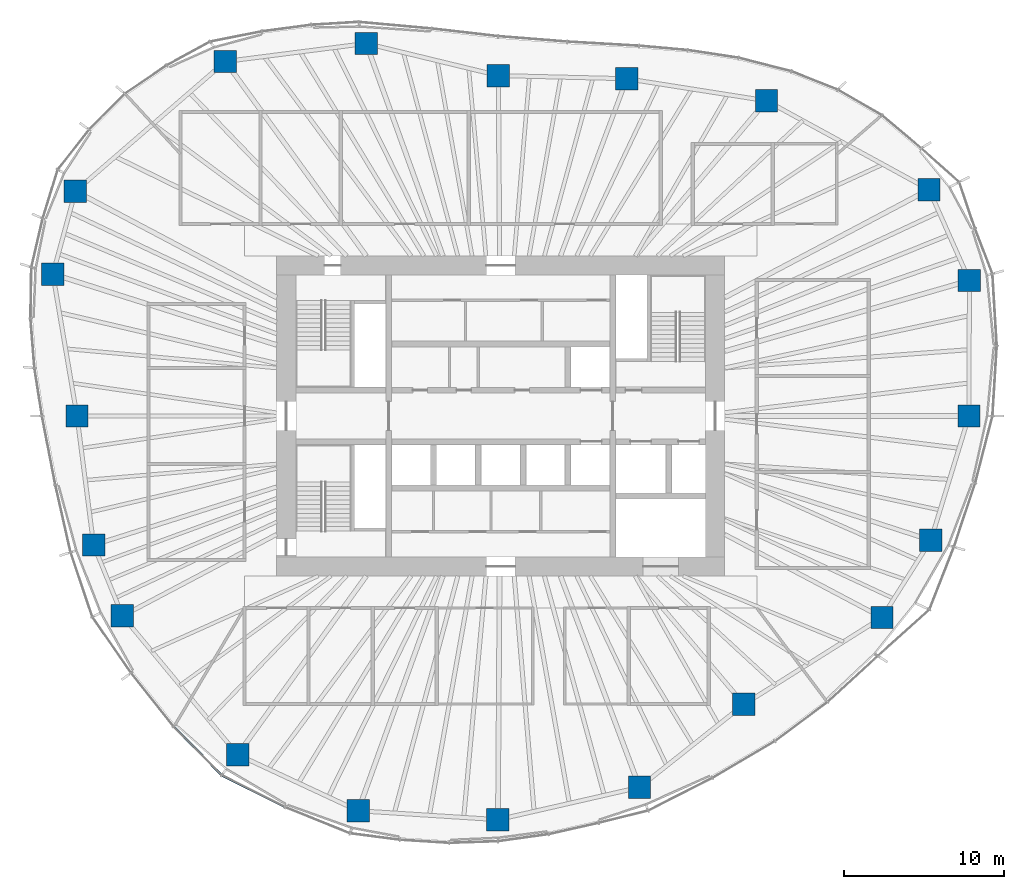
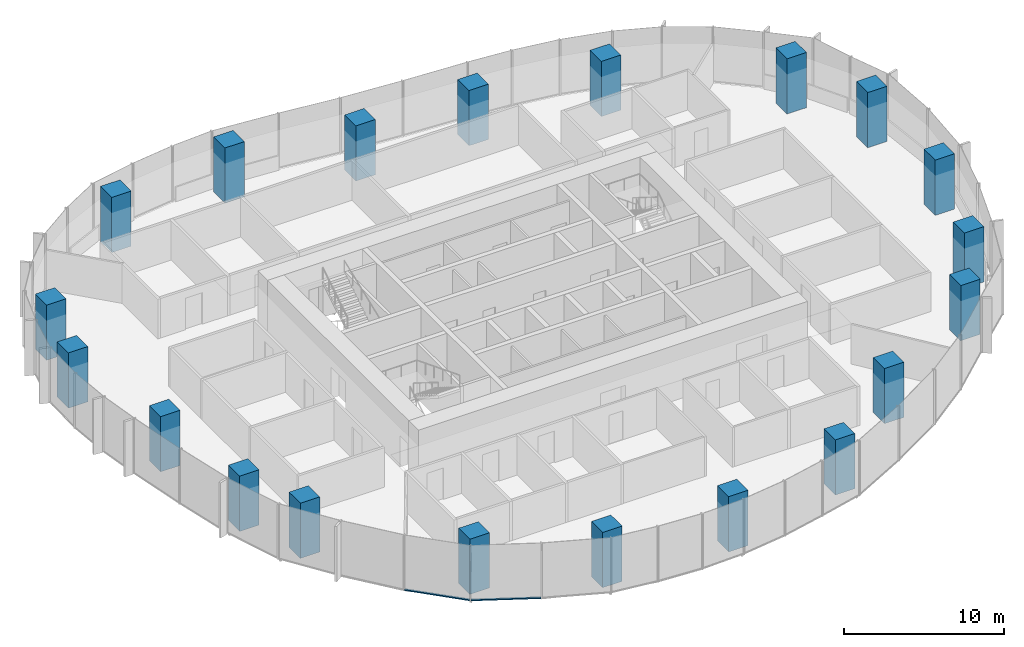
# One storey, part 1 of 18: 20 columns, 2 members, 2 elements without a shape of their own.
"""IFC4 building model written with IfcOpenShell, lengths in metres."""

from ifc_helpers import new_model, si_unit, direction, frame, origin, origin_2d, place, context, subcontext, project, spatial, rectangle, extrude, material, material_profile, profile_set, type_object, element, aggregate, save


model = new_model("IFC4")

# Units and contexts
model_context = context("Model", 3, precision=1e-05, world=origin(), true_north=direction((0.0, 1.0)))
body_context = subcontext(model_context, "Body", "Model", "MODEL_VIEW")
ifc_project = project(units=[si_unit("LENGTHUNIT", "METRE"), si_unit("AREAUNIT", "SQUARE_METRE"), si_unit("VOLUMEUNIT", "CUBIC_METRE"), si_unit("PLANEANGLEUNIT", "RADIAN"), si_unit("MASSUNIT", "GRAM", prefix="KILO")], contexts=[model_context])

# Site, building, storey
site_placement = place(None, origin())
site = spatial("IfcSite", under=ifc_project, at=site_placement, CompositionType="ELEMENT")
building_placement = place(site_placement, origin())
building = spatial("IfcBuilding", under=site, at=building_placement, Name="Ghaith Harvest Tower", CompositionType="ELEMENT")
storey_placement = place(building_placement, frame((0.0, 0.0, 180.60009765625)))
storey = spatial("IfcBuildingStorey", under=building, at=storey_placement, Name="L39", CompositionType="ELEMENT", Elevation=180.60009765625)

# Columns
ifc_material_1 = material(Name="Concrete C60/75", Category="concrete")
ifc_material_profile_1 = material_profile(ifc_material_1, rectangle(XDim=1.39990234375, YDim=1.39990234375, at=origin_2d()), Name="RC1400X1400")
ifc_profile_set_1 = profile_set([ifc_material_profile_1], Name="Concrete C60/75")
column_type = type_object("IfcColumnType", Name="TC4 RC1400X1400", PredefinedType="COLUMN", material=ifc_profile_set_1)
for number, where, z_axis, x_axis, name in (
    (1, (29.259033203125, 0.0, 0.0), (0.0, 0.0, 1.0), (1.0, 0.0, 0.0), "Perimeter column C01"),
    (2, (29.285888671875, 8.464111328125, 0.0), (0.0, 0.0, 1.0), (1.0, 0.0, 0.0), "Perimeter column C02"),
    (3, (26.763916015625, 14.14697265625, 0.0), (0.0, 0.0, 1.0), (1.0, 0.0, 0.0), "Perimeter column C03"),
    (4, (16.60791015625, 19.695068359375, 0.0), (0.0, 0.0, 1.0), (1.0, 0.0, 0.0), "Perimeter column C04"),
    (5, (7.8779296875, 21.072021484375, 0.0), (0.0, 0.0, 1.0), (1.0, 0.0, 0.0), "Perimeter column C05"),
    (6, (-0.14599609375, 21.27099609375, 0.0), (0.0, 0.0, 1.0), (1.0, 0.0, 0.0), "Perimeter column C06"),
    (7, (-8.406982421875, 23.27587890625, 0.0), (0.0, 0.0, 1.0), (1.0, 0.0, 0.0), "Perimeter column C07"),
    (8, (-17.201904296875, 22.14990234375, 0.0), (0.0, 0.0, 1.0), (1.0, 0.0, 0.0), "Perimeter column C08"),
    (9, (-26.572998046875, 14.0458984375, 0.0), (0.0, 0.0, 1.0), (1.0, 0.0, 0.0), "Perimeter column C09"),
    (10, (-27.98291015625, 8.867919921875, 0.0), (0.0, 0.0, 1.0), (1.0, 0.0, 0.0), "Perimeter column C10"),
    (11, (-26.47509765625, 0.0, 0.0), (0.0, 0.0, 1.0), (1.0, 0.0, 0.0), "Perimeter column C11"),
    (12, (-25.43603515625, -8.06103515625, 0.0), (0.0, 0.0, 1.0), (1.0, 0.0, 0.0), "Perimeter column C12"),
    (13, (-23.635009765625, -12.492919921875, 0.0), (0.0, 0.0, 1.0), (1.0, 0.0, 0.0), "Perimeter column C13"),
    (14, (-16.43701171875, -21.1640625, 0.0), (0.0, 0.0, 1.0), (1.0, 0.0, 0.0), "Perimeter column C14"),
    (15, (-8.908935546875, -24.66796875, 0.0), (0.0, 0.0, 1.0), (1.0, 0.0, 0.0), "Perimeter column C15"),
    (16, (-0.173095703125, -25.22412109375, 0.0), (0.0, 0.0, 1.0), (1.0, 0.0, 0.0), "Perimeter column C16"),
    (17, (8.674072265625, -23.202880859375, 0.0), (0.0, 0.0, 1.0), (1.0, 0.0, 0.0), "Perimeter column C17"),
    (18, (15.197998046875, -18.02294921875, 0.0), (0.0, 0.0, 1.0), (1.0, 0.0, 0.0), "Perimeter column C18"),
    (19, (23.825927734375, -12.593994140625, 0.0), (0.0, 0.0, 1.0), (1.0, 0.0, 0.0), "Perimeter column C19"),
    (20, (26.8779296875, -7.76806640625, 0.0), (0.0, 0.0, 1.0), (1.0, 0.0, 0.0), "Perimeter column C20"),
):
    element("IfcColumn", number, at=place(storey_placement, frame(where, z_axis=z_axis, x_axis=x_axis)), inside=storey, type_object=column_type, Name=name, PredefinedType="COLUMN", context=body_context, shape_type="SweptSolid", body=[
        extrude(rectangle(XDim=1.39990234375, YDim=1.39990234375, at=origin_2d()), origin(), (0.0, 0.0, 1.0), 4.199951171875),
    ])

# Curtain wall, member
ifc_material_2 = material(Name="Black anodised aluminium and fritted glass", Category="aluminium")
curtain_wall_type = type_object("IfcCurtainWallType", Name="CW-L CURTAIN WALL", PredefinedType="NOTDEFINED", material=ifc_material_2)
curtain_wall_1_placement = place(storey_placement, origin())
curtain_wall_1 = element("IfcCurtainWall", 21, at=curtain_wall_1_placement, inside=storey, type_object=curtain_wall_type, Name="Curtain wall CW-L bay 13 L39", PredefinedType="NOTDEFINED")
ifc_material_3 = material(Name="Aluminium, black anodised", Category="aluminium")
ifc_material_profile_2 = material_profile(ifc_material_3, rectangle(XDim=0.14990234375, YDim=0.080078125, at=origin_2d()), Name="CW-L TRANSOM 150x80")
ifc_profile_set_2 = profile_set([ifc_material_profile_2], Name="Aluminium, black anodised")
member_type = type_object("IfcMemberType", Name="CW-L TRANSOM 150x80", PredefinedType="USERDEFINED", material=ifc_profile_set_2)
member_1_placement = place(storey_placement, frame((-20.4130859375, -19.425048828125, 0.039794921875), z_axis=(0.702854410476, -0.711333731574, 0.0), x_axis=(0.711333731574, 0.702854410476, 0.0)))
member_1 = element("IfcMember", 22, at=member_1_placement, type_object=member_type, Name="CW-L transom 2 bay 13 L39", ObjectType="TRANSOM", PredefinedType="USERDEFINED", context=body_context, shape_type="SweptSolid", body=[
    extrude(rectangle(XDim=0.14990234375, YDim=0.080078125, at=origin_2d()), origin(), (0.0, 0.0, 1.0), 4.20361328125),
])
aggregate(curtain_wall_1, [member_1])

curtain_wall_2_placement = place(storey_placement, origin())
curtain_wall_2 = element("IfcCurtainWall", 23, at=curtain_wall_2_placement, inside=storey, type_object=curtain_wall_type, Name="Curtain wall CW-L bay 14 L39", PredefinedType="NOTDEFINED")
member_2_placement = place(storey_placement, frame((-17.394775390625, -22.461669921875, 0.039794921875), z_axis=(0.893057524502, -0.449942505138, 0.0), x_axis=(0.449942505138, 0.893057524502, 0.0)))
member_2 = element("IfcMember", 24, at=member_2_placement, type_object=member_type, Name="CW-L transom 1 bay 14 L39", ObjectType="TRANSOM", PredefinedType="USERDEFINED", context=body_context, shape_type="SweptSolid", body=[
    extrude(rectangle(XDim=0.14990234375, YDim=0.080078125, at=origin_2d()), origin(), (0.0, 0.0, 1.0), 4.362548828125),
])
aggregate(curtain_wall_2, [member_2])

save(model, "model.ifc")
